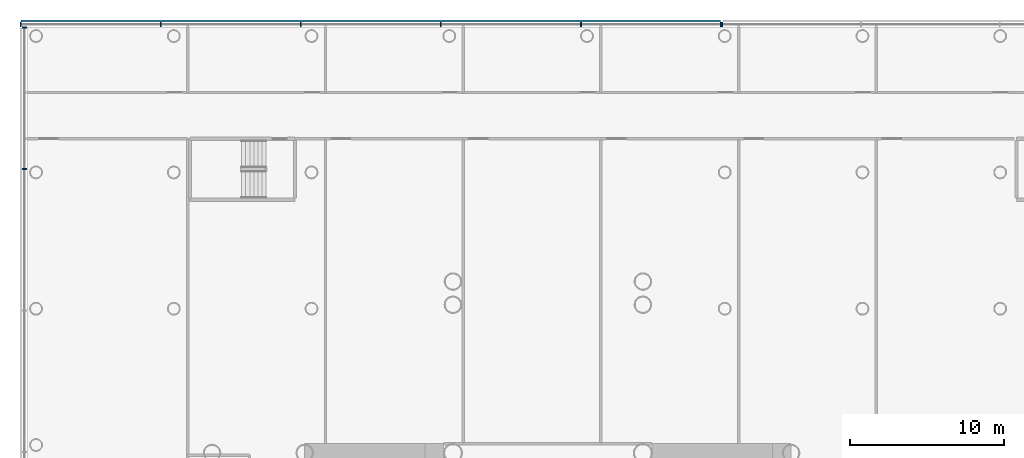
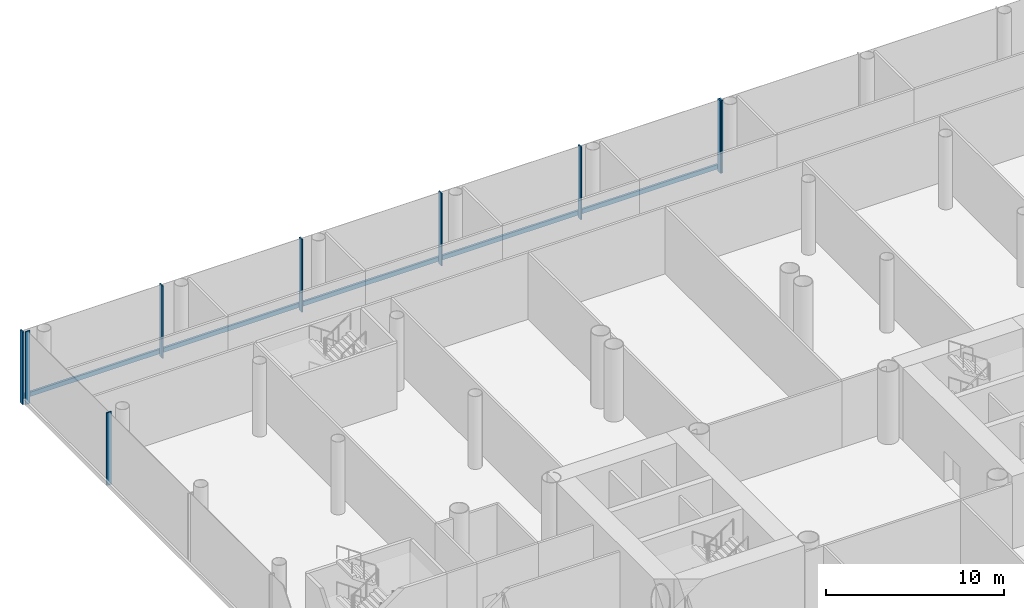
# One storey, part 10 of 59: 10 members, 3 elements without a shape of their own.
"""IFC4 building model written with IfcOpenShell, lengths in metres."""

from ifc_helpers import new_model, si_unit, direction, frame, origin, origin_2d, place, context, subcontext, project, spatial, rectangle, extrude, material, layer, layer_set, material_profile, profile_set, type_object, element, aggregate, save


model = new_model("IFC4")

# Units and contexts
model_context = context("Model", 3, precision=1e-05, world=origin(), true_north=direction((0.0, 1.0)))
body_context = subcontext(model_context, "Body", "Model", "MODEL_VIEW")
ifc_project = project(units=[si_unit("LENGTHUNIT", "METRE"), si_unit("AREAUNIT", "SQUARE_METRE"), si_unit("VOLUMEUNIT", "CUBIC_METRE"), si_unit("PLANEANGLEUNIT", "RADIAN"), si_unit("MASSUNIT", "GRAM", prefix="KILO")], contexts=[model_context])

# Site, building, storey
site_placement = place(None, origin())
site = spatial("IfcSite", under=ifc_project, at=site_placement, CompositionType="ELEMENT")
building_placement = place(site_placement, origin())
building = spatial("IfcBuilding", under=site, at=building_placement, Name="Ipe Terrace Towers", CompositionType="ELEMENT")
storey_placement = place(building_placement, frame((0.0, 0.0, 6.0)))
storey = spatial("IfcBuildingStorey", under=building, at=storey_placement, Name="L01", CompositionType="ELEMENT", Elevation=6.0)

# Curtain wall, member
ifc_material_1 = material(Name="Aluminium alloy 6063-T6", Category="aluminium")
ifc_layer = layer(ifc_material_1, 0.43994140625)
ifc_layer_set = layer_set([ifc_layer], Name="PODIUM GLAZING CURTAIN WALL")
curtain_wall_type = type_object("IfcCurtainWallType", Name="PODIUM GLAZING CURTAIN WALL", PredefinedType="NOTDEFINED", material=ifc_layer_set)
curtain_wall_1_placement = place(storey_placement, origin())
curtain_wall_1 = element("IfcCurtainWall", 1, at=curtain_wall_1_placement, inside=storey, type_object=curtain_wall_type, Name="POD-CW-L01-01b curtain wall", PredefinedType="NOTDEFINED")
ifc_material_2 = material(Name="Aluminium alloy 6063-T6", Category="aluminium")
ifc_material_profile_1 = material_profile(ifc_material_2, rectangle(XDim=0.300048828125, YDim=0.080078125, at=origin_2d()), Name="PODIUM GLAZING MULLION 300 x 80")
ifc_profile_set_1 = profile_set([ifc_material_profile_1], Name="Aluminium alloy 6063-T6")
member_type_1 = type_object("IfcMemberType", Name="PODIUM GLAZING MULLION 300 x 80", PredefinedType="MULLION", material=ifc_profile_set_1)
member_1_placement = place(storey_placement, frame((-24.7099609375, 33.89990234375, -0.300048828125), z_axis=(0.0, 0.0, 1.0), x_axis=(0.0, 1.0, 0.0)))
member_1 = element("IfcMember", 2, at=member_1_placement, type_object=member_type_1, Name="POD-CW-L01-01b mullion 6", PredefinedType="MULLION", context=body_context, shape_type="SweptSolid", body=[
    extrude(rectangle(XDim=0.300048828125, YDim=0.080078125, at=origin_2d()), origin(), (0.0, 0.0, 1.0), 5.0),
])
aggregate(curtain_wall_1, [member_1])

# Curtain wall, members
curtain_wall_2_placement = place(storey_placement, origin())
curtain_wall_2 = element("IfcCurtainWall", 3, at=curtain_wall_2_placement, inside=storey, type_object=curtain_wall_type, Name="POD-CW-L01-01c curtain wall", PredefinedType="NOTDEFINED")
member_2_placement = place(storey_placement, frame((-24.7900390625, 33.89990234375, -0.300048828125), z_axis=(0.0, 0.0, 1.0), x_axis=(0.0, 1.0, 0.0)))
member_2 = element("IfcMember", 4, at=member_2_placement, type_object=member_type_1, Name="POD-CW-L01-01c mullion 1", PredefinedType="MULLION", context=body_context, shape_type="SweptSolid", body=[
    extrude(rectangle(XDim=0.300048828125, YDim=0.080078125, at=origin_2d()), origin(), (0.0, 0.0, 1.0), 5.0),
])
member_3_placement = place(storey_placement, frame((-33.862060546875, 33.89990234375, -0.300048828125), z_axis=(0.0, 0.0, 1.0), x_axis=(0.0, 1.0, 0.0)))
member_3 = element("IfcMember", 5, at=member_3_placement, type_object=member_type_1, Name="POD-CW-L01-01c mullion 2", PredefinedType="MULLION", context=body_context, shape_type="SweptSolid", body=[
    extrude(rectangle(XDim=0.300048828125, YDim=0.080078125, at=origin_2d()), origin(), (0.0, 0.0, 1.0), 5.0),
])
member_4_placement = place(storey_placement, frame((-42.93408203125, 33.89990234375, -0.300048828125), z_axis=(0.0, 0.0, 1.0), x_axis=(0.0, 1.0, 0.0)))
member_4 = element("IfcMember", 6, at=member_4_placement, type_object=member_type_1, Name="POD-CW-L01-01c mullion 3", PredefinedType="MULLION", context=body_context, shape_type="SweptSolid", body=[
    extrude(rectangle(XDim=0.300048828125, YDim=0.080078125, at=origin_2d()), origin(), (0.0, 0.0, 1.0), 5.0),
])
member_5_placement = place(storey_placement, frame((-52.006103515625, 33.89990234375, -0.300048828125), z_axis=(0.0, 0.0, 1.0), x_axis=(0.0, 1.0, 0.0)))
member_5 = element("IfcMember", 7, at=member_5_placement, type_object=member_type_1, Name="POD-CW-L01-01c mullion 4", PredefinedType="MULLION", context=body_context, shape_type="SweptSolid", body=[
    extrude(rectangle(XDim=0.300048828125, YDim=0.080078125, at=origin_2d()), origin(), (0.0, 0.0, 1.0), 5.0),
])
member_6_placement = place(storey_placement, frame((-61.077880859375, 33.89990234375, -0.300048828125), z_axis=(0.0, 0.0, 1.0), x_axis=(0.0, 1.0, 0.0)))
member_6 = element("IfcMember", 8, at=member_6_placement, type_object=member_type_1, Name="POD-CW-L01-01c mullion 5", PredefinedType="MULLION", context=body_context, shape_type="SweptSolid", body=[
    extrude(rectangle(XDim=0.300048828125, YDim=0.080078125, at=origin_2d()), origin(), (0.0, 0.0, 1.0), 5.0),
])
member_7_placement = place(storey_placement, frame((-70.14990234375, 33.89990234375, -0.300048828125), z_axis=(0.0, 0.0, 1.0), x_axis=(0.0, 1.0, 0.0)))
member_7 = element("IfcMember", 9, at=member_7_placement, type_object=member_type_1, Name="POD-CW-L01-01c mullion 6", PredefinedType="MULLION", context=body_context, shape_type="SweptSolid", body=[
    extrude(rectangle(XDim=0.300048828125, YDim=0.080078125, at=origin_2d()), origin(), (0.0, 0.0, 1.0), 5.0),
])

curtain_wall_3_placement = place(storey_placement, origin())
curtain_wall_3 = element("IfcCurtainWall", 10, at=curtain_wall_3_placement, inside=storey, type_object=curtain_wall_type, Name="POD-CW-L01-02a curtain wall", PredefinedType="NOTDEFINED")
member_8_placement = place(storey_placement, frame((-69.89990234375, 33.7099609375, -0.300048828125), z_axis=(0.0, 0.0, 1.0), x_axis=(-1.0, 0.0, 0.0)))
member_8 = element("IfcMember", 11, at=member_8_placement, type_object=member_type_1, Name="POD-CW-L01-02a mullion 1", PredefinedType="MULLION", context=body_context, shape_type="SweptSolid", body=[
    extrude(rectangle(XDim=0.300048828125, YDim=0.080078125, at=origin_2d()), origin(), (0.0, 0.0, 1.0), 5.0),
])
member_9_placement = place(storey_placement, frame((-69.89990234375, 24.54248046875, -0.300048828125), z_axis=(0.0, 0.0, 1.0), x_axis=(-1.0, 0.0, 0.0)))
member_9 = element("IfcMember", 12, at=member_9_placement, type_object=member_type_1, Name="POD-CW-L01-02a mullion 2", PredefinedType="MULLION", context=body_context, shape_type="SweptSolid", body=[
    extrude(rectangle(XDim=0.300048828125, YDim=0.080078125, at=origin_2d()), origin(), (0.0, 0.0, 1.0), 5.0),
])
aggregate(curtain_wall_3, [member_8, member_9])

# Member
ifc_material_3 = material(Name="Aluminium alloy 6063-T6", Category="aluminium")
ifc_material_profile_2 = material_profile(ifc_material_3, rectangle(XDim=0.139892578125, YDim=0.300048828125, at=origin_2d()), Name="PODIUM GLAZING TRANSOM 140 x 300")
ifc_profile_set_2 = profile_set([ifc_material_profile_2], Name="Aluminium alloy 6063-T6")
member_type_2 = type_object("IfcMemberType", Name="PODIUM GLAZING TRANSOM 140 x 300", PredefinedType="USERDEFINED", material=ifc_profile_set_2)
member_10_placement = place(storey_placement, frame((-24.830078125, 34.1201171875, 0.0), z_axis=(-1.0, 0.0, 0.0), x_axis=(0.0, 1.0, 0.0)))
member_10 = element("IfcMember", 13, at=member_10_placement, type_object=member_type_2, Name="POD-CW-L01-01c transom", ObjectType="TRANSOM", PredefinedType="USERDEFINED", context=body_context, shape_type="SweptSolid", body=[
    extrude(rectangle(XDim=0.139892578125, YDim=0.300048828125, at=origin_2d()), origin(), (0.0, 0.0, 1.0), 45.280029296875),
])

aggregate(curtain_wall_2, [member_2, member_3, member_4, member_5, member_6, member_7, member_10])

save(model, "model.ifc")
